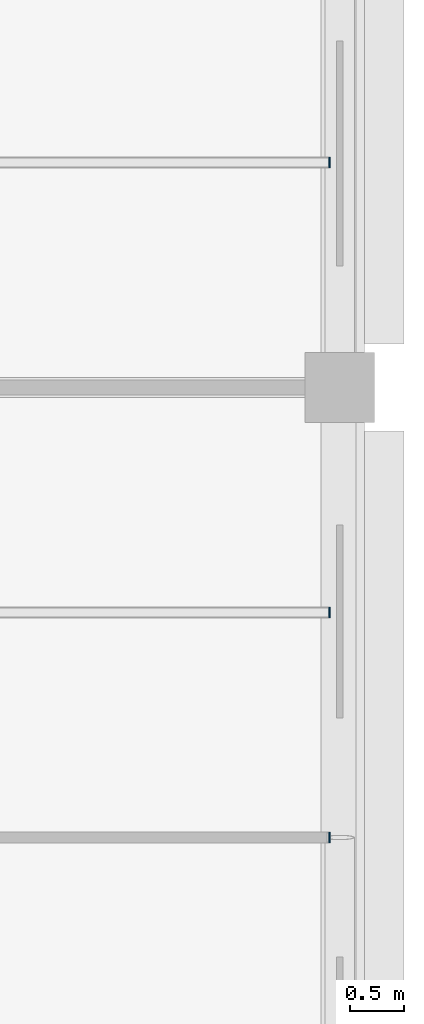
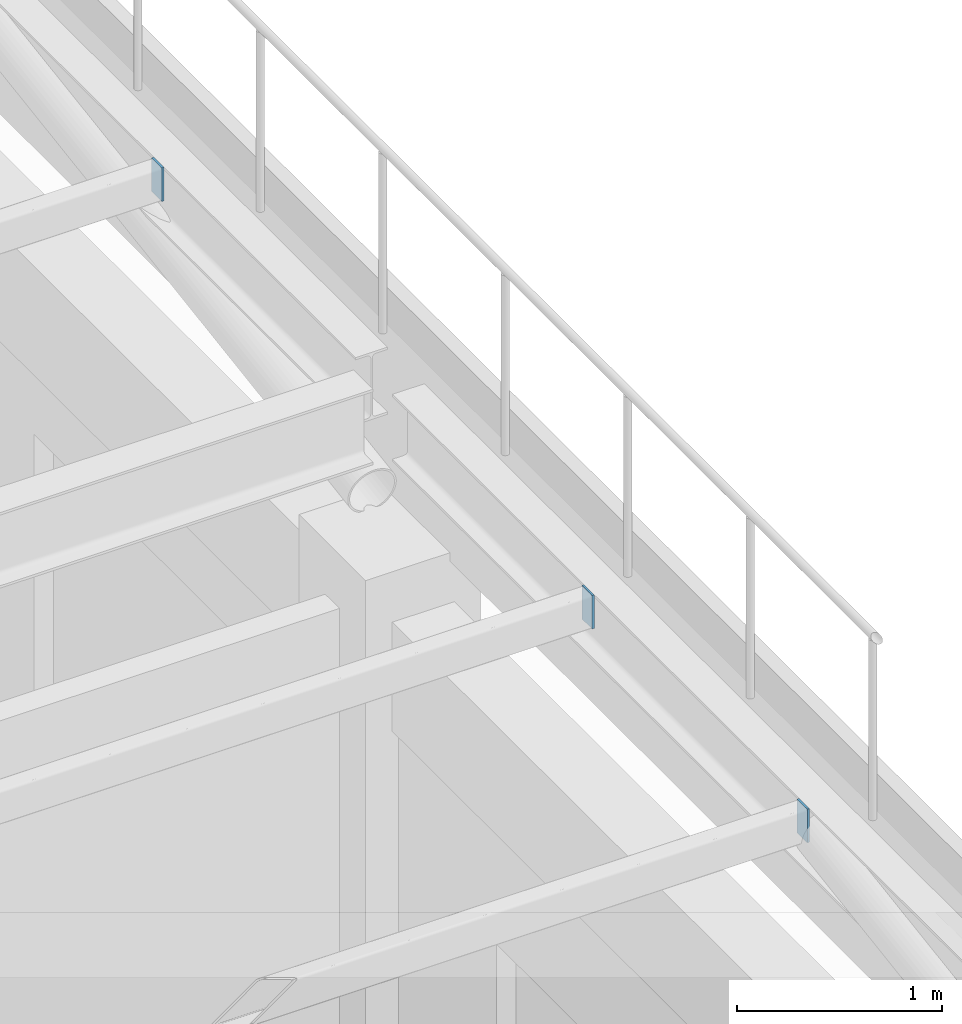
# One storey, part 11 of 20: 3 plates.
"""IFC4 building model written with IfcOpenShell, lengths in metres."""

from ifc_helpers import new_model, si_unit, direction, frame, origin, origin_2d, place, context, subcontext, project, spatial, rectangle, extrude, material, layer, layer_set, type_object, element, save


model = new_model("IFC4")

# Units and contexts
model_context = context("Model", 3, precision=1e-05, world=origin(), true_north=direction((0.0, 1.0)))
body_context = subcontext(model_context, "Body", "Model", "MODEL_VIEW")
ifc_project = project(units=[si_unit("LENGTHUNIT", "METRE"), si_unit("AREAUNIT", "SQUARE_METRE"), si_unit("VOLUMEUNIT", "CUBIC_METRE"), si_unit("PLANEANGLEUNIT", "RADIAN"), si_unit("MASSUNIT", "GRAM", prefix="KILO"), si_unit("THERMODYNAMICTEMPERATUREUNIT", "KELVIN"), si_unit("POWERUNIT", "WATT")], contexts=[model_context])

# Site, building, storey
site_placement = place(None, origin())
site = spatial("IfcSite", under=ifc_project, at=site_placement, CompositionType="ELEMENT")
building_placement = place(site_placement, origin())
building = spatial("IfcBuilding", under=site, at=building_placement, Name="Srebrne Nadtorze General Hospital", CompositionType="ELEMENT")
storey_placement = place(building_placement, frame((0.0, 0.0, 33.89990234375)))
storey = spatial("IfcBuildingStorey", under=building, at=storey_placement, Name="L08", CompositionType="ELEMENT", Elevation=33.89990234375)

# Plates
ifc_material = material(Name="Steel S355J2", Category="steel")
ifc_layer = layer(ifc_material, 0.011962890625)
ifc_layer_set = layer_set([ifc_layer], Name="Steel S355J2")
plate_type = type_object("IfcPlateType", Name="Steel bearing plate 12", PredefinedType="SHEET", material=ifc_layer_set)
for number, where, z_axis, x_axis, name in (
    (1, (54.50390625, 63.0, 4.64013671875), (0.0, 0.0, 1.0), (1.0, 0.0, 0.0), "Helipad deck purlin end plate 23-2"),
    (2, (54.50390625, 65.10009765625, 4.64013671875), (0.0, 0.0, 1.0), (1.0, 0.0, 0.0), "Helipad deck purlin end plate 24-2"),
    (3, (54.50390625, 69.300048828125, 4.64013671875), (0.0, 0.0, 1.0), (1.0, 0.0, 0.0), "Helipad deck purlin end plate 25-2"),
):
    element("IfcPlate", number, at=place(storey_placement, frame(where, z_axis=z_axis, x_axis=x_axis)), inside=storey, type_object=plate_type, Name=name, PredefinedType="SHEET", context=body_context, shape_type="SweptSolid", body=[
        extrude(rectangle(XDim=0.011962890625, YDim=0.10009765625, at=origin_2d()), origin(), (0.0, 0.0, 1.0), 0.199951171875),
    ])

save(model, "model.ifc")
